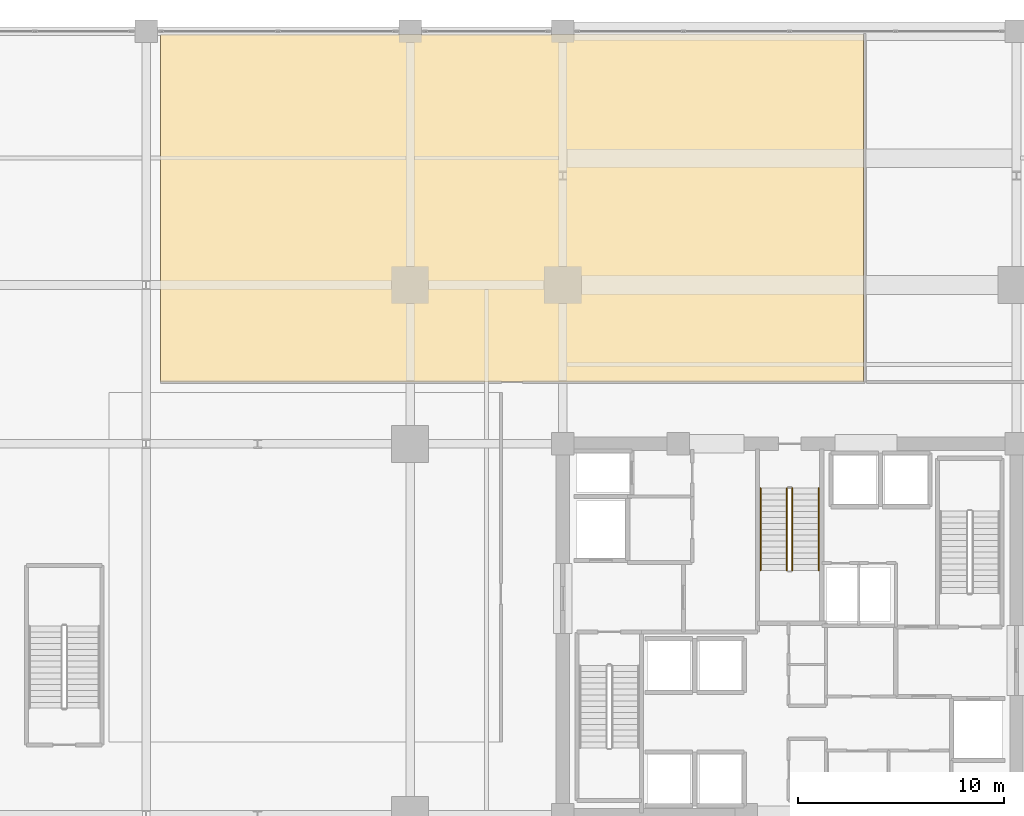
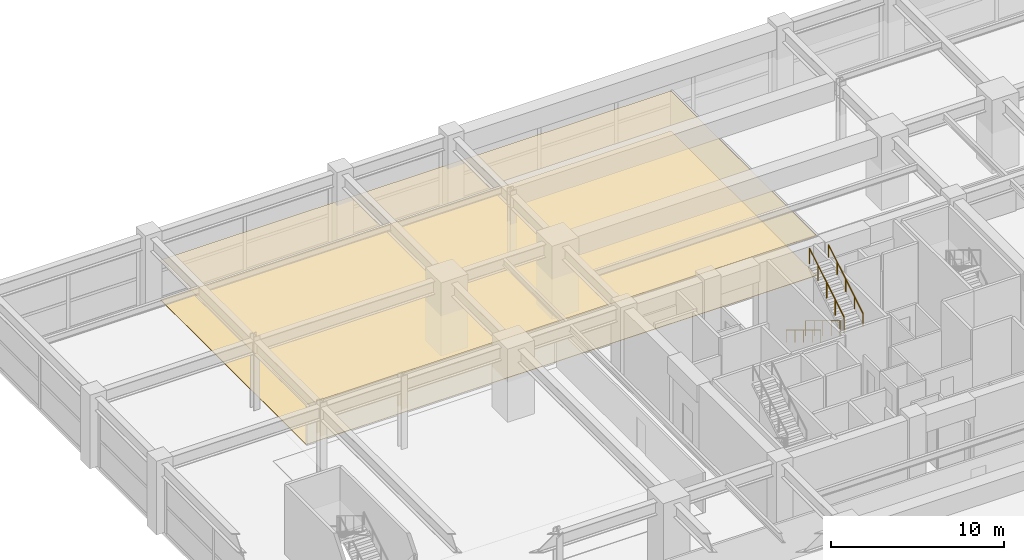
# One storey, part 42 of 45: 4 railings, 2 coverings.
"""IFC4 building model written with IfcOpenShell, lengths in metres."""

from ifc_helpers import new_model, si_unit, direction, frame, origin, origin_2d, place, context, subcontext, project, spatial, polyline, circle, outline, extrude, material, layer, layer_set, type_object, element, save


model = new_model("IFC4")

# Units and contexts
model_context = context("Model", 3, precision=1e-05, world=origin(), true_north=direction((0.0, 1.0)))
body_context = subcontext(model_context, "Body", "Model", "MODEL_VIEW")
ifc_project = project(units=[si_unit("LENGTHUNIT", "METRE"), si_unit("AREAUNIT", "SQUARE_METRE"), si_unit("VOLUMEUNIT", "CUBIC_METRE"), si_unit("PLANEANGLEUNIT", "RADIAN"), si_unit("MASSUNIT", "GRAM", prefix="KILO")], contexts=[model_context])

# Site, building, storey
site_placement = place(None, origin())
site = spatial("IfcSite", under=ifc_project, at=site_placement, CompositionType="ELEMENT")
building_placement = place(site_placement, origin())
building = spatial("IfcBuilding", under=site, at=building_placement, Name="Kovane Verandah Tower", CompositionType="ELEMENT")
storey_placement = place(building_placement, frame((0.0, 0.0, 6.0)))
storey = spatial("IfcBuildingStorey", under=building, at=storey_placement, Name="L01", CompositionType="ELEMENT", Elevation=6.0)

# Coverings
ifc_material_1 = material(Name="Perforated Acoustic Mineral-Fibre Ceiling Tile", Category="gypsum")
ifc_layer_1 = layer(ifc_material_1, 0.02490234375)
ifc_layer_set_1 = layer_set([ifc_layer_1], Name="Perforated Acoustic Mineral-Fibre Ceiling Tile")
covering_type_1 = type_object("IfcCoveringType", Name="CV-CEIL-25", PredefinedType="CEILING", material=ifc_layer_set_1)
covering_1_placement = place(storey_placement, frame((0.0, 0.0, 2.824951171875)))
element("IfcCovering", 1, at=covering_1_placement, inside=storey, type_object=covering_type_1, Name="L01 North Banking Hall Acoustic Ceiling", PredefinedType="CEILING", context=body_context, shape_type="SweptSolid", body=[
    extrude(outline(polyline([(9.5, 39.5), (43.580078125, 39.5), (43.580078125, 56.35009765625), (9.5, 56.35009765625), (9.5, 39.5)])), origin(), (0.0, 0.0, 1.0), 0.025146484375),
])
ifc_material_2 = material(Name="Polished Terrazzo and Raised-Access Carpet Tile Finish", Category="concrete")
ifc_layer_2 = layer(ifc_material_2, 0.030029296875)
ifc_layer_set_2 = layer_set([ifc_layer_2], Name="Polished Terrazzo and Raised-Access Carpet Tile Finish")
covering_type_2 = type_object("IfcCoveringType", Name="CV-FLOR-30", PredefinedType="FLOORING", material=ifc_layer_set_2)
covering_2_placement = place(storey_placement, origin())
element("IfcCovering", 2, at=covering_2_placement, inside=storey, type_object=covering_type_2, Name="L01 North Banking Hall Floor Finish", PredefinedType="FLOORING", context=body_context, shape_type="SweptSolid", body=[
    extrude(outline(polyline([(9.5, 39.5), (43.580078125, 39.5), (43.580078125, 56.35009765625), (9.5, 56.35009765625), (9.5, 39.5)])), origin(), (0.0, 0.0, 1.0), 0.030029296875),
])

# Railings
ifc_material_3 = material(Name="Brushed Stainless Steel Handrail", Category="steel")
railing_type_1 = type_object("IfcRailingType", Name="RL-HAND-920", PredefinedType="HANDRAIL", material=ifc_material_3)
railing_1_placement = place(storey_placement, frame((38.590087890625, 34.35009765625, 0.17333984375)))
element("IfcRailing", 3, at=railing_1_placement, inside=storey, type_object=railing_type_1, Name="L01 ST-03 stair handrail 1", PredefinedType="HANDRAIL", context=body_context, shape_type="SweptSolid", body=[
    extrude(circle(Radius=0.02392578125, at=origin_2d()), frame((0.0, 0.0, 0.8759765625), z_axis=(0.0, -0.854382233033, 0.519645071061), x_axis=(1.0, 0.0, 0.0)), (0.0, 0.0, 1.0), 4.669921875),
    extrude(circle(Radius=0.02099609375, at=origin_2d()), origin(), (0.0, 0.0, 1.0), 0.851806640625),
    extrude(circle(Radius=0.02099609375, at=origin_2d()), frame((0.0, -0.99755859375, 0.606689453125)), (0.0, 0.0, 1.0), 0.851806640625),
    extrude(circle(Radius=0.02099609375, at=origin_2d()), frame((0.0, -1.9951171875, 1.21337890625)), (0.0, 0.0, 1.0), 0.851806640625),
    extrude(circle(Radius=0.02099609375, at=origin_2d()), frame((0.0, -2.992431640625, 1.820068359375)), (0.0, 0.0, 1.0), 0.851806640625),
    extrude(circle(Radius=0.02099609375, at=origin_2d()), frame((0.0, -3.989990234375, 2.4267578125)), (0.0, 0.0, 1.0), 0.851806640625),
])
railing_2_placement = place(storey_placement, frame((41.409912109375, 30.360107421875, 2.7734375)))
element("IfcRailing", 4, at=railing_2_placement, inside=storey, type_object=railing_type_1, Name="L01 ST-03 stair handrail 2", PredefinedType="HANDRAIL", context=body_context, shape_type="SweptSolid", body=[
    extrude(circle(Radius=0.02392578125, at=origin_2d()), frame((0.0, 0.0, 0.8759765625), z_axis=(0.0, 0.854405443041, 0.519606908058), x_axis=(-1.0, 0.0, 0.0)), (0.0, 0.0, 1.0), 4.669921875),
    extrude(circle(Radius=0.02099609375, at=origin_2d()), origin(), (0.0, 0.0, 1.0), 0.851806640625),
    extrude(circle(Radius=0.02099609375, at=origin_2d()), frame((0.0, 0.99755859375, 0.606689453125)), (0.0, 0.0, 1.0), 0.851806640625),
    extrude(circle(Radius=0.02099609375, at=origin_2d()), frame((0.0, 1.9951171875, 1.21337890625)), (0.0, 0.0, 1.0), 0.851806640625),
    extrude(circle(Radius=0.02099609375, at=origin_2d()), frame((0.0, 2.992431640625, 1.81982421875)), (0.0, 0.0, 1.0), 0.851806640625),
    extrude(circle(Radius=0.02099609375, at=origin_2d()), frame((0.0, 3.989990234375, 2.426513671875)), (0.0, 0.0, 1.0), 0.851806640625),
])
ifc_material_4 = material(Name="Painted Steel Stairwell Guardrail", Category="steel")
railing_type_2 = type_object("IfcRailingType", Name="RL-STGUARD-1120", PredefinedType="GUARDRAIL", material=ifc_material_4)
railing_3_placement = place(storey_placement, frame((39.8701171875, 34.35009765625, 0.17333984375)))
element("IfcRailing", 5, at=railing_3_placement, inside=storey, type_object=railing_type_2, Name="L01 ST-03 stair guard 1", PredefinedType="GUARDRAIL", context=body_context, shape_type="SweptSolid", body=[
    extrude(circle(Radius=0.02392578125, at=origin_2d()), frame((0.0, 0.0, 1.076171875), z_axis=(0.0, -0.854382233033, 0.519645071061), x_axis=(1.0, 0.0, 0.0)), (0.0, 0.0, 1.0), 4.669921875),
    extrude(circle(Radius=0.02099609375, at=origin_2d()), origin(), (0.0, 0.0, 1.0), 1.052001953125),
    extrude(circle(Radius=0.02099609375, at=origin_2d()), frame((0.0, -0.99755859375, 0.606689453125)), (0.0, 0.0, 1.0), 1.052001953125),
    extrude(circle(Radius=0.02099609375, at=origin_2d()), frame((0.0, -1.9951171875, 1.21337890625)), (0.0, 0.0, 1.0), 1.052001953125),
    extrude(circle(Radius=0.02099609375, at=origin_2d()), frame((0.0, -2.992431640625, 1.820068359375)), (0.0, 0.0, 1.0), 1.052001953125),
    extrude(circle(Radius=0.02099609375, at=origin_2d()), frame((0.0, -3.989990234375, 2.4267578125)), (0.0, 0.0, 1.0), 1.052001953125),
])
railing_4_placement = place(storey_placement, frame((40.1298828125, 30.360107421875, 2.7734375)))
element("IfcRailing", 6, at=railing_4_placement, inside=storey, type_object=railing_type_2, Name="L01 ST-03 stair guard 3", PredefinedType="GUARDRAIL", context=body_context, shape_type="SweptSolid", body=[
    extrude(circle(Radius=0.02392578125, at=origin_2d()), frame((0.0, 0.0, 1.076171875), z_axis=(0.0, 0.854405443041, 0.519606908058), x_axis=(-1.0, 0.0, 0.0)), (0.0, 0.0, 1.0), 4.669921875),
    extrude(circle(Radius=0.02099609375, at=origin_2d()), origin(), (0.0, 0.0, 1.0), 1.052001953125),
    extrude(circle(Radius=0.02099609375, at=origin_2d()), frame((0.0, 0.99755859375, 0.606689453125)), (0.0, 0.0, 1.0), 1.052001953125),
    extrude(circle(Radius=0.02099609375, at=origin_2d()), frame((0.0, 1.9951171875, 1.21337890625)), (0.0, 0.0, 1.0), 1.052001953125),
    extrude(circle(Radius=0.02099609375, at=origin_2d()), frame((0.0, 2.992431640625, 1.81982421875)), (0.0, 0.0, 1.0), 1.052001953125),
    extrude(circle(Radius=0.02099609375, at=origin_2d()), frame((0.0, 3.989990234375, 2.426513671875)), (0.0, 0.0, 1.0), 1.052001953125),
])

save(model, "model.ifc")
